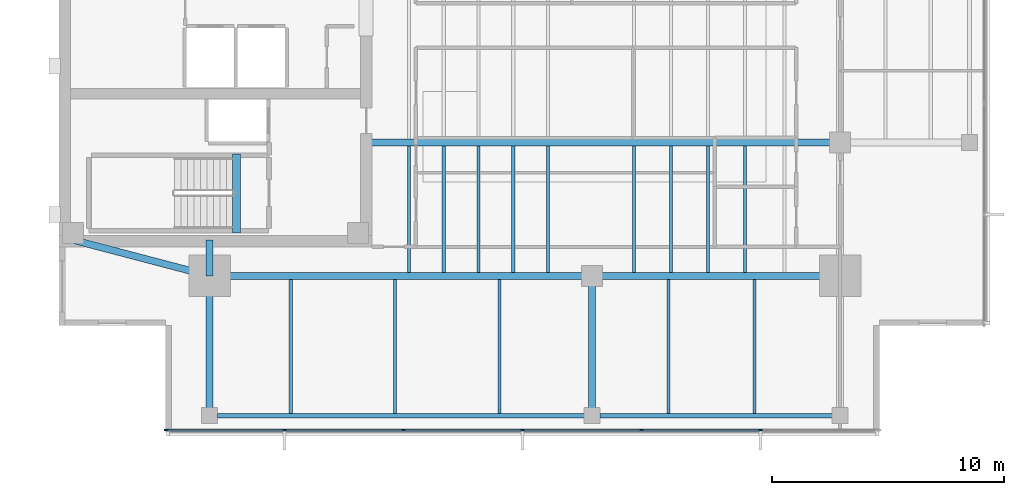
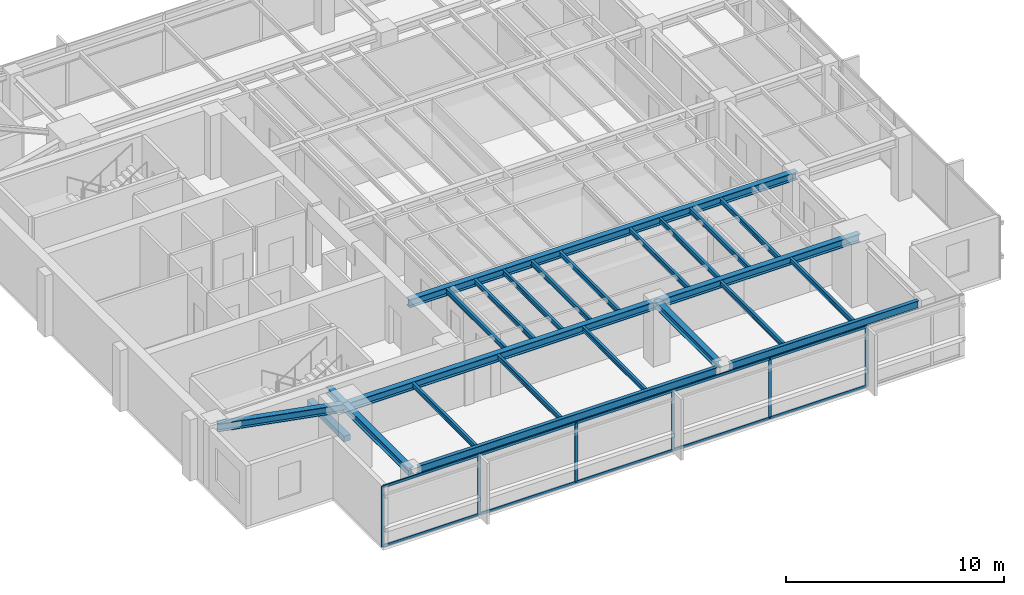
# One storey, part 2 of 14: 24 beams, 16 members, 1 element without a shape of its own.
"""IFC4 building model written with IfcOpenShell, lengths in metres."""

from ifc_helpers import new_model, si_unit, direction, frame, origin, origin_2d, place, context, subcontext, project, spatial, rectangle, i_section, extrude, material, layer, layer_set, material_profile, profile_set, type_object, element, aggregate, save


model = new_model("IFC4")

# Units and contexts
model_context = context("Model", 3, precision=1e-05, world=origin(), true_north=direction((0.0, 1.0)))
body_context = subcontext(model_context, "Body", "Model", "MODEL_VIEW")
ifc_project = project(units=[si_unit("LENGTHUNIT", "METRE"), si_unit("AREAUNIT", "SQUARE_METRE"), si_unit("VOLUMEUNIT", "CUBIC_METRE"), si_unit("PLANEANGLEUNIT", "RADIAN"), si_unit("MASSUNIT", "GRAM", prefix="KILO")], contexts=[model_context])

# Site, building, storey
site_placement = place(None, origin())
site = spatial("IfcSite", under=ifc_project, at=site_placement, CompositionType="ELEMENT")
building_placement = place(site_placement, origin())
building = spatial("IfcBuilding", under=site, at=building_placement, Name="Kinhvarn Gate Tower", CompositionType="ELEMENT")
storey_placement = place(building_placement, frame((0.0, 0.0, 256.35009765625)))
storey = spatial("IfcBuildingStorey", under=building, at=storey_placement, Name="L68", CompositionType="ELEMENT", Elevation=256.35009765625)

# Beam
ifc_material_1 = material(Name="Concrete C50/60", Category="concrete")
ifc_material_profile_1 = material_profile(ifc_material_1, rectangle(XDim=0.340087890625, YDim=0.320068359375, at=origin_2d()), Name="RC 340x320")
ifc_profile_set_1 = profile_set([ifc_material_profile_1], Name="Concrete C50/60")
beam_type_1 = type_object("IfcBeamType", Name="BM-LND-500", PredefinedType="BEAM", material=ifc_profile_set_1)
beam_1_placement = place(storey_placement, frame((12.1650390625, 14.60009765625, -0.16015625), z_axis=(0.0, 1.0, 0.0), x_axis=(-1.0, 0.0, 0.0)))
element("IfcBeam", 1, at=beam_1_placement, inside=storey, type_object=beam_type_1, Name="Stair ST1 Landing Nosing Beam (L68)", PredefinedType="BEAM", context=body_context, shape_type="SweptSolid", body=[
    extrude(rectangle(XDim=0.340087890625, YDim=0.320068359375, at=origin_2d()), origin(), (0.0, 0.0, 1.0), 3.39990234375),
])

# Curtain wall, members
ifc_material_2 = material(Name="Anodised aluminium AW-6063", Category="aluminium")
ifc_layer = layer(ifc_material_2, 0.179931640625)
ifc_layer_set = layer_set([ifc_layer], Name="Anodised aluminium AW-6063")
curtain_wall_type = type_object("IfcCurtainWallType", Name="CW-SYS-3", PredefinedType="NOTDEFINED", material=ifc_layer_set)
curtain_wall_placement = place(storey_placement, origin())
curtain_wall = element("IfcCurtainWall", 2, at=curtain_wall_placement, inside=storey, type_object=curtain_wall_type, Name="Curtain Wall CW3 (L68)", PredefinedType="NOTDEFINED")
ifc_material_profile_2 = material_profile(ifc_material_2, rectangle(XDim=0.06494140625, YDim=0.159912109375, at=origin_2d()), Name="ALU 65x160")
ifc_profile_set_2 = profile_set([ifc_material_profile_2], Name="Anodised aluminium AW-6063")
member_type_1 = type_object("IfcMemberType", Name="CW-MUL-160", PredefinedType="MULLION", material=ifc_profile_set_2)
member_1_placement = place(storey_placement, frame((9.132568359375, 6.090087890625, 0.0), z_axis=(0.0, 0.0, 1.0), x_axis=(0.0, 1.0, 0.0)))
member_1 = element("IfcMember", 3, at=member_1_placement, type_object=member_type_1, Name="CW3 mullion 1", PredefinedType="MULLION", context=body_context, shape_type="SweptSolid", body=[
    extrude(rectangle(XDim=0.06494140625, YDim=0.159912109375, at=origin_2d()), origin(), (0.0, 0.0, 1.0), 3.389892578125),
])
member_2_placement = place(storey_placement, frame((14.2333984375, 6.090087890625, 0.0), z_axis=(0.0, 0.0, 1.0), x_axis=(0.0, 1.0, 0.0)))
member_2 = element("IfcMember", 4, at=member_2_placement, type_object=member_type_1, Name="CW3 mullion 2", PredefinedType="MULLION", context=body_context, shape_type="SweptSolid", body=[
    extrude(rectangle(XDim=0.06494140625, YDim=0.159912109375, at=origin_2d()), origin(), (0.0, 0.0, 1.0), 3.389892578125),
])
member_3_placement = place(storey_placement, frame((19.36669921875, 6.090087890625, 0.0), z_axis=(0.0, 0.0, 1.0), x_axis=(0.0, 1.0, 0.0)))
member_3 = element("IfcMember", 5, at=member_3_placement, type_object=member_type_1, Name="CW3 mullion 3", PredefinedType="MULLION", context=body_context, shape_type="SweptSolid", body=[
    extrude(rectangle(XDim=0.06494140625, YDim=0.159912109375, at=origin_2d()), origin(), (0.0, 0.0, 1.0), 3.389892578125),
])
member_4_placement = place(storey_placement, frame((24.5, 6.090087890625, 0.0), z_axis=(0.0, 0.0, 1.0), x_axis=(0.0, 1.0, 0.0)))
member_4 = element("IfcMember", 6, at=member_4_placement, type_object=member_type_1, Name="CW3 mullion 4", PredefinedType="MULLION", context=body_context, shape_type="SweptSolid", body=[
    extrude(rectangle(XDim=0.06494140625, YDim=0.159912109375, at=origin_2d()), origin(), (0.0, 0.0, 1.0), 3.389892578125),
])
member_5_placement = place(storey_placement, frame((29.63330078125, 6.090087890625, 0.0), z_axis=(0.0, 0.0, 1.0), x_axis=(0.0, 1.0, 0.0)))
member_5 = element("IfcMember", 7, at=member_5_placement, type_object=member_type_1, Name="CW3 mullion 5", PredefinedType="MULLION", context=body_context, shape_type="SweptSolid", body=[
    extrude(rectangle(XDim=0.06494140625, YDim=0.159912109375, at=origin_2d()), origin(), (0.0, 0.0, 1.0), 3.389892578125),
])
member_6_placement = place(storey_placement, frame((34.7666015625, 6.090087890625, 0.0), z_axis=(0.0, 0.0, 1.0), x_axis=(0.0, 1.0, 0.0)))
member_6 = element("IfcMember", 8, at=member_6_placement, type_object=member_type_1, Name="CW3 mullion 6", PredefinedType="MULLION", context=body_context, shape_type="SweptSolid", body=[
    extrude(rectangle(XDim=0.06494140625, YDim=0.159912109375, at=origin_2d()), origin(), (0.0, 0.0, 1.0), 3.389892578125),
])
ifc_material_profile_3 = material_profile(ifc_material_2, rectangle(XDim=0.070068359375, YDim=0.139892578125, at=origin_2d()), Name="ALU 70x140")
ifc_profile_set_3 = profile_set([ifc_material_profile_3], Name="Anodised aluminium AW-6063")
member_type_2 = type_object("IfcMemberType", Name="CW-TRN-140", PredefinedType="USERDEFINED", material=ifc_profile_set_3)
member_7_placement = place(storey_placement, frame((9.1650390625, 6.090087890625, 0.034912109375), z_axis=(1.0, 0.0, 0.0), x_axis=(0.0, 1.0, 0.0)))
member_7 = element("IfcMember", 9, at=member_7_placement, type_object=member_type_2, Name="CW3 transom 1.1", ObjectType="TRANSOM", PredefinedType="USERDEFINED", context=body_context, shape_type="SweptSolid", body=[
    extrude(rectangle(XDim=0.070068359375, YDim=0.139892578125, at=origin_2d()), origin(), (0.0, 0.0, 1.0), 5.035888671875),
])
member_8_placement = place(storey_placement, frame((9.1650390625, 6.090087890625, 3.35498046875), z_axis=(1.0, 0.0, 0.0), x_axis=(0.0, 1.0, 0.0)))
member_8 = element("IfcMember", 10, at=member_8_placement, type_object=member_type_2, Name="CW3 transom 1.2", ObjectType="TRANSOM", PredefinedType="USERDEFINED", context=body_context, shape_type="SweptSolid", body=[
    extrude(rectangle(XDim=0.070068359375, YDim=0.139892578125, at=origin_2d()), origin(), (0.0, 0.0, 1.0), 5.035888671875),
])
member_9_placement = place(storey_placement, frame((14.265869140625, 6.090087890625, 0.034912109375), z_axis=(1.0, 0.0, 0.0), x_axis=(0.0, 1.0, 0.0)))
member_9 = element("IfcMember", 11, at=member_9_placement, type_object=member_type_2, Name="CW3 transom 2.1", ObjectType="TRANSOM", PredefinedType="USERDEFINED", context=body_context, shape_type="SweptSolid", body=[
    extrude(rectangle(XDim=0.070068359375, YDim=0.139892578125, at=origin_2d()), origin(), (0.0, 0.0, 1.0), 5.068359375),
])
member_10_placement = place(storey_placement, frame((14.265869140625, 6.090087890625, 3.35498046875), z_axis=(1.0, 0.0, 0.0), x_axis=(0.0, 1.0, 0.0)))
member_10 = element("IfcMember", 12, at=member_10_placement, type_object=member_type_2, Name="CW3 transom 2.2", ObjectType="TRANSOM", PredefinedType="USERDEFINED", context=body_context, shape_type="SweptSolid", body=[
    extrude(rectangle(XDim=0.070068359375, YDim=0.139892578125, at=origin_2d()), origin(), (0.0, 0.0, 1.0), 5.068359375),
])
member_11_placement = place(storey_placement, frame((19.399169921875, 6.090087890625, 0.034912109375), z_axis=(1.0, 0.0, 0.0), x_axis=(0.0, 1.0, 0.0)))
member_11 = element("IfcMember", 13, at=member_11_placement, type_object=member_type_2, Name="CW3 transom 3.1", ObjectType="TRANSOM", PredefinedType="USERDEFINED", context=body_context, shape_type="SweptSolid", body=[
    extrude(rectangle(XDim=0.070068359375, YDim=0.139892578125, at=origin_2d()), origin(), (0.0, 0.0, 1.0), 5.068359375),
])
member_12_placement = place(storey_placement, frame((19.399169921875, 6.090087890625, 3.35498046875), z_axis=(1.0, 0.0, 0.0), x_axis=(0.0, 1.0, 0.0)))
member_12 = element("IfcMember", 14, at=member_12_placement, type_object=member_type_2, Name="CW3 transom 3.2", ObjectType="TRANSOM", PredefinedType="USERDEFINED", context=body_context, shape_type="SweptSolid", body=[
    extrude(rectangle(XDim=0.070068359375, YDim=0.139892578125, at=origin_2d()), origin(), (0.0, 0.0, 1.0), 5.068359375),
])
member_13_placement = place(storey_placement, frame((24.532470703125, 6.090087890625, 0.034912109375), z_axis=(1.0, 0.0, 0.0), x_axis=(0.0, 1.0, 0.0)))
member_13 = element("IfcMember", 15, at=member_13_placement, type_object=member_type_2, Name="CW3 transom 4.1", ObjectType="TRANSOM", PredefinedType="USERDEFINED", context=body_context, shape_type="SweptSolid", body=[
    extrude(rectangle(XDim=0.070068359375, YDim=0.139892578125, at=origin_2d()), origin(), (0.0, 0.0, 1.0), 5.068359375),
])
member_14_placement = place(storey_placement, frame((24.532470703125, 6.090087890625, 3.35498046875), z_axis=(1.0, 0.0, 0.0), x_axis=(0.0, 1.0, 0.0)))
member_14 = element("IfcMember", 16, at=member_14_placement, type_object=member_type_2, Name="CW3 transom 4.2", ObjectType="TRANSOM", PredefinedType="USERDEFINED", context=body_context, shape_type="SweptSolid", body=[
    extrude(rectangle(XDim=0.070068359375, YDim=0.139892578125, at=origin_2d()), origin(), (0.0, 0.0, 1.0), 5.068359375),
])
member_15_placement = place(storey_placement, frame((29.665771484375, 6.090087890625, 0.034912109375), z_axis=(1.0, 0.0, 0.0), x_axis=(0.0, 1.0, 0.0)))
member_15 = element("IfcMember", 17, at=member_15_placement, type_object=member_type_2, Name="CW3 transom 5.1", ObjectType="TRANSOM", PredefinedType="USERDEFINED", context=body_context, shape_type="SweptSolid", body=[
    extrude(rectangle(XDim=0.070068359375, YDim=0.139892578125, at=origin_2d()), origin(), (0.0, 0.0, 1.0), 5.068359375),
])
member_16_placement = place(storey_placement, frame((29.665771484375, 6.090087890625, 3.35498046875), z_axis=(1.0, 0.0, 0.0), x_axis=(0.0, 1.0, 0.0)))
member_16 = element("IfcMember", 18, at=member_16_placement, type_object=member_type_2, Name="CW3 transom 5.2", ObjectType="TRANSOM", PredefinedType="USERDEFINED", context=body_context, shape_type="SweptSolid", body=[
    extrude(rectangle(XDim=0.070068359375, YDim=0.139892578125, at=origin_2d()), origin(), (0.0, 0.0, 1.0), 5.068359375),
])
aggregate(curtain_wall, [member_1, member_2, member_3, member_4, member_5, member_6, member_7, member_8, member_9, member_10, member_11, member_12, member_13, member_14, member_15, member_16])

# Beams
ifc_material_3 = material(Name="Steel S355", Category="steel")
ifc_material_profile_4 = material_profile(ifc_material_3, i_section(OverallWidth=0.300048828125, OverallDepth=0.39990234375, WebThickness=0.013427734375, FlangeThickness=0.02392578125, at=origin_2d()), Name="HEB 400")
ifc_profile_set_4 = profile_set([ifc_material_profile_4], Name="Steel S355")
beam_type_2 = type_object("IfcBeamType", Name="STL-HEB400", PredefinedType="BEAM", material=ifc_profile_set_4)
beam_2_placement = place(storey_placement, frame((11.0, 6.719970703125, 3.18994140625), z_axis=(0.0, 1.0, 0.0), x_axis=(-1.0, 0.0, 0.0)))
element("IfcBeam", 19, at=beam_2_placement, inside=storey, type_object=beam_type_2, Name="Floor Beam PG-12 (L68 MCW-S)", PredefinedType="BEAM", context=body_context, shape_type="SweptSolid", body=[
    extrude(i_section(OverallWidth=0.300048828125, OverallDepth=0.39990234375, WebThickness=0.013427734375, FlangeThickness=0.02392578125, at=origin_2d()), origin(), (0.0, 0.0, 1.0), 6.030029296875),
])
beam_3_placement = place(storey_placement, frame((11.0, 12.75, 3.18994140625), z_axis=(0.0, 1.0, 0.0), x_axis=(-1.0, 0.0, 0.0)))
element("IfcBeam", 20, at=beam_3_placement, inside=storey, type_object=beam_type_2, Name="Floor Beam PG-12 (L68 MCW-CS)", PredefinedType="BEAM", context=body_context, shape_type="SweptSolid", body=[
    extrude(i_section(OverallWidth=0.300048828125, OverallDepth=0.39990234375, WebThickness=0.013427734375, FlangeThickness=0.02392578125, at=origin_2d()), origin(), (0.0, 0.0, 1.0), 1.550048828125),
])
beam_4_placement = place(storey_placement, frame((27.5, 7.054931640625, 3.18994140625), z_axis=(0.0, 1.0, 0.0), x_axis=(-1.0, 0.0, 0.0)))
element("IfcBeam", 21, at=beam_4_placement, inside=storey, type_object=beam_type_2, Name="Floor Beam PG-12 (L68 SP27-S-TIE)", PredefinedType="BEAM", context=body_context, shape_type="SweptSolid", body=[
    extrude(i_section(OverallWidth=0.300048828125, OverallDepth=0.39990234375, WebThickness=0.013427734375, FlangeThickness=0.02392578125, at=origin_2d()), origin(), (0.0, 0.0, 1.0), 5.695068359375),
])
ifc_material_profile_5 = material_profile(ifc_material_3, i_section(OverallWidth=0.300048828125, OverallDepth=0.449951171875, WebThickness=0.013916015625, FlangeThickness=0.02587890625, at=origin_2d()), Name="HEB 450")
ifc_profile_set_5 = profile_set([ifc_material_profile_5], Name="Steel S355")
beam_type_3 = type_object("IfcBeamType", Name="STL-HEB450", PredefinedType="BEAM", material=ifc_profile_set_5)
beam_5_placement = place(storey_placement, frame((11.0, 12.75, 3.164794921875), z_axis=(1.0, 0.0, 0.0), x_axis=(0.0, 1.0, 0.0)))
element("IfcBeam", 22, at=beam_5_placement, inside=storey, type_object=beam_type_3, Name="Floor Beam PG-13 (L68 MG-S1)", PredefinedType="BEAM", context=body_context, shape_type="SweptSolid", body=[
    extrude(i_section(OverallWidth=0.300048828125, OverallDepth=0.449951171875, WebThickness=0.013916015625, FlangeThickness=0.02587890625, at=origin_2d()), origin(), (0.0, 0.0, 1.0), 16.5),
])
beam_6_placement = place(storey_placement, frame((27.5, 12.75, 3.164794921875), z_axis=(1.0, 0.0, 0.0), x_axis=(0.0, 1.0, 0.0)))
element("IfcBeam", 23, at=beam_6_placement, inside=storey, type_object=beam_type_3, Name="Floor Beam PG-13 (L68 MG-S2)", PredefinedType="BEAM", context=body_context, shape_type="SweptSolid", body=[
    extrude(i_section(OverallWidth=0.300048828125, OverallDepth=0.449951171875, WebThickness=0.013916015625, FlangeThickness=0.02587890625, at=origin_2d()), origin(), (0.0, 0.0, 1.0), 10.699951171875),
])
beam_7_placement = place(storey_placement, frame((5.10009765625, 14.300048828125, 3.164794921875), z_axis=(0.967177623957, -0.254101246979, 0.0), x_axis=(0.254101246979, 0.967177623957, 0.0)))
element("IfcBeam", 24, at=beam_7_placement, inside=storey, type_object=beam_type_3, Name="Floor Beam PG-13 (L68 MG-SW-DIAG)", PredefinedType="BEAM", context=body_context, shape_type="SweptSolid", body=[
    extrude(i_section(OverallWidth=0.300048828125, OverallDepth=0.449951171875, WebThickness=0.013916015625, FlangeThickness=0.02587890625, at=origin_2d()), origin(), (0.0, 0.0, 1.0), 6.10009765625),
])
beam_8_placement = place(storey_placement, frame((17.64990234375, 18.5, 3.164794921875), z_axis=(1.0, 0.0, 0.0), x_axis=(0.0, 1.0, 0.0)))
element("IfcBeam", 25, at=beam_8_placement, inside=storey, type_object=beam_type_3, Name="Floor Beam PG-13 (L68 EW1-Y18)", PredefinedType="BEAM", context=body_context, shape_type="SweptSolid", body=[
    extrude(i_section(OverallWidth=0.300048828125, OverallDepth=0.449951171875, WebThickness=0.013916015625, FlangeThickness=0.02587890625, at=origin_2d()), origin(), (0.0, 0.0, 1.0), 20.550048828125),
])
ifc_material_profile_6 = material_profile(ifc_material_3, i_section(OverallWidth=0.135009765625, OverallDepth=0.27001953125, WebThickness=0.006591796875, FlangeThickness=0.01025390625, at=origin_2d()), Name="IPE 270")
ifc_profile_set_6 = profile_set([ifc_material_profile_6], Name="Steel S355")
beam_type_4 = type_object("IfcBeamType", Name="STL-IPE270", PredefinedType="JOIST", material=ifc_profile_set_6)
for number, where, z_axis, x_axis, name in (
    (26, (19.60009765625, 12.89990234375, 3.2548828125), (0.0, 1.0, 0.0), (-1.0, 0.0, 0.0), "Floor Joist SB-01 (L68 JC-X196-0)"),
    (27, (21.10009765625, 12.89990234375, 3.2548828125), (0.0, 1.0, 0.0), (-1.0, 0.0, 0.0), "Floor Joist SB-01 (L68 JC-X211-0)"),
    (28, (22.60009765625, 12.89990234375, 3.2548828125), (0.0, 1.0, 0.0), (-1.0, 0.0, 0.0), "Floor Joist SB-01 (L68 JC-X226-0)"),
    (29, (24.10009765625, 12.89990234375, 3.2548828125), (0.0, 1.0, 0.0), (-1.0, 0.0, 0.0), "Floor Joist SB-01 (L68 JC-X241-0)"),
    (30, (25.60009765625, 12.89990234375, 3.2548828125), (0.0, 1.0, 0.0), (-1.0, 0.0, 0.0), "Floor Joist SB-01 (L68 JC-X256-0)"),
    (31, (29.300048828125, 12.89990234375, 3.2548828125), (0.0, 1.0, 0.0), (-1.0, 0.0, 0.0), "Floor Joist SB-01 (L68 JC-X293-0)"),
    (32, (30.89990234375, 12.89990234375, 3.2548828125), (0.0, 1.0, 0.0), (-1.0, 0.0, 0.0), "Floor Joist SB-01 (L68 JC-X309-0)"),
    (33, (32.5, 12.89990234375, 3.2548828125), (0.0, 1.0, 0.0), (-1.0, 0.0, 0.0), "Floor Joist SB-01 (L68 JC-X325-0)"),
    (34, (34.10009765625, 12.89990234375, 3.2548828125), (0.0, 1.0, 0.0), (-1.0, 0.0, 0.0), "Floor Joist SB-01 (L68 JC-X341-0)"),
):
    element("IfcBeam", number, at=place(storey_placement, frame(where, z_axis=z_axis, x_axis=x_axis)), inside=storey, type_object=beam_type_4, Name=name, PredefinedType="JOIST", context=body_context, shape_type="SweptSolid", body=[
        extrude(i_section(OverallWidth=0.135009765625, OverallDepth=0.27001953125, WebThickness=0.006591796875, FlangeThickness=0.01025390625, at=origin_2d()), origin(), (0.0, 0.0, 1.0), 5.4501953125),
    ])
for number, where, z_axis, x_axis, name in (
    (35, (14.5, 6.81494140625, 3.2548828125), (0.0, 1.0, 0.0), (-1.0, 0.0, 0.0), "Floor Joist SB-01 (L68 JS-X145)"),
    (36, (19.0, 6.81494140625, 3.2548828125), (0.0, 1.0, 0.0), (-1.0, 0.0, 0.0), "Floor Joist SB-01 (L68 JS-X190)"),
    (37, (23.5, 6.81494140625, 3.2548828125), (0.0, 1.0, 0.0), (-1.0, 0.0, 0.0), "Floor Joist SB-01 (L68 JS-X235)"),
    (38, (30.800048828125, 6.81494140625, 3.2548828125), (0.0, 1.0, 0.0), (-1.0, 0.0, 0.0), "Floor Joist SB-01 (L68 JS-X308)"),
    (39, (34.5, 6.81494140625, 3.2548828125), (0.0, 1.0, 0.0), (-1.0, 0.0, 0.0), "Floor Joist SB-01 (L68 JS-X345)"),
):
    element("IfcBeam", number, at=place(storey_placement, frame(where, z_axis=z_axis, x_axis=x_axis)), inside=storey, type_object=beam_type_4, Name=name, PredefinedType="JOIST", context=body_context, shape_type="SweptSolid", body=[
        extrude(i_section(OverallWidth=0.135009765625, OverallDepth=0.27001953125, WebThickness=0.006591796875, FlangeThickness=0.01025390625, at=origin_2d()), origin(), (0.0, 0.0, 1.0), 5.78515625),
    ])
ifc_material_profile_7 = material_profile(ifc_material_3, i_section(OverallWidth=0.18994140625, OverallDepth=0.449951171875, WebThickness=0.009521484375, FlangeThickness=0.0146484375, at=origin_2d()), Name="IPE 450")
ifc_profile_set_7 = profile_set([ifc_material_profile_7], Name="Steel S355")
beam_type_5 = type_object("IfcBeamType", Name="STL-IPE450", PredefinedType="JOIST", material=ifc_profile_set_7)
beam_9_placement = place(storey_placement, frame((11.3349609375, 6.719970703125, 3.164794921875), z_axis=(1.0, 0.0, 0.0), x_axis=(0.0, 1.0, 0.0)))
element("IfcBeam", 40, at=beam_9_placement, inside=storey, type_object=beam_type_5, Name="Floor Joist SB-06 (L68 SP-S1)", PredefinedType="JOIST", context=body_context, shape_type="SweptSolid", body=[
    extrude(i_section(OverallWidth=0.18994140625, OverallDepth=0.449951171875, WebThickness=0.009521484375, FlangeThickness=0.0146484375, at=origin_2d()), origin(), (0.0, 0.0, 1.0), 15.830078125),
])
beam_10_placement = place(storey_placement, frame((27.8349609375, 6.719970703125, 3.164794921875), z_axis=(1.0, 0.0, 0.0), x_axis=(0.0, 1.0, 0.0)))
element("IfcBeam", 41, at=beam_10_placement, inside=storey, type_object=beam_type_5, Name="Floor Joist SB-06 (L68 SP-S2)", PredefinedType="JOIST", context=body_context, shape_type="SweptSolid", body=[
    extrude(i_section(OverallWidth=0.18994140625, OverallDepth=0.449951171875, WebThickness=0.009521484375, FlangeThickness=0.0146484375, at=origin_2d()), origin(), (0.0, 0.0, 1.0), 10.030029296875),
])

save(model, "model.ifc")
